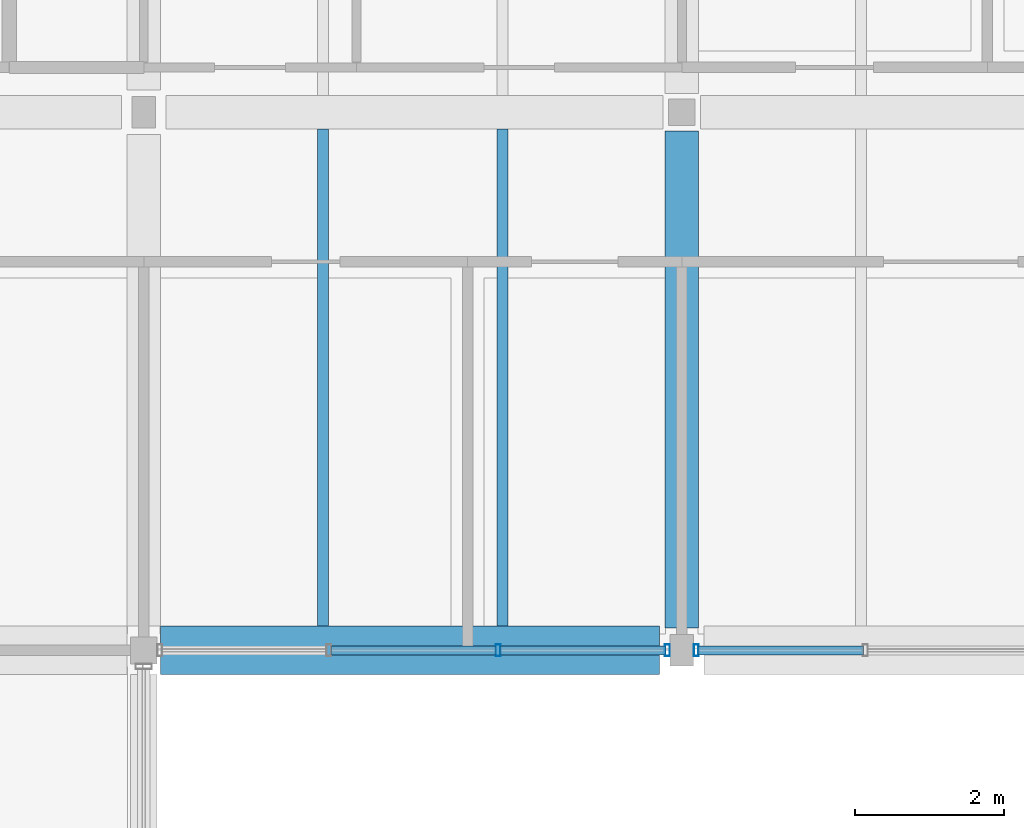
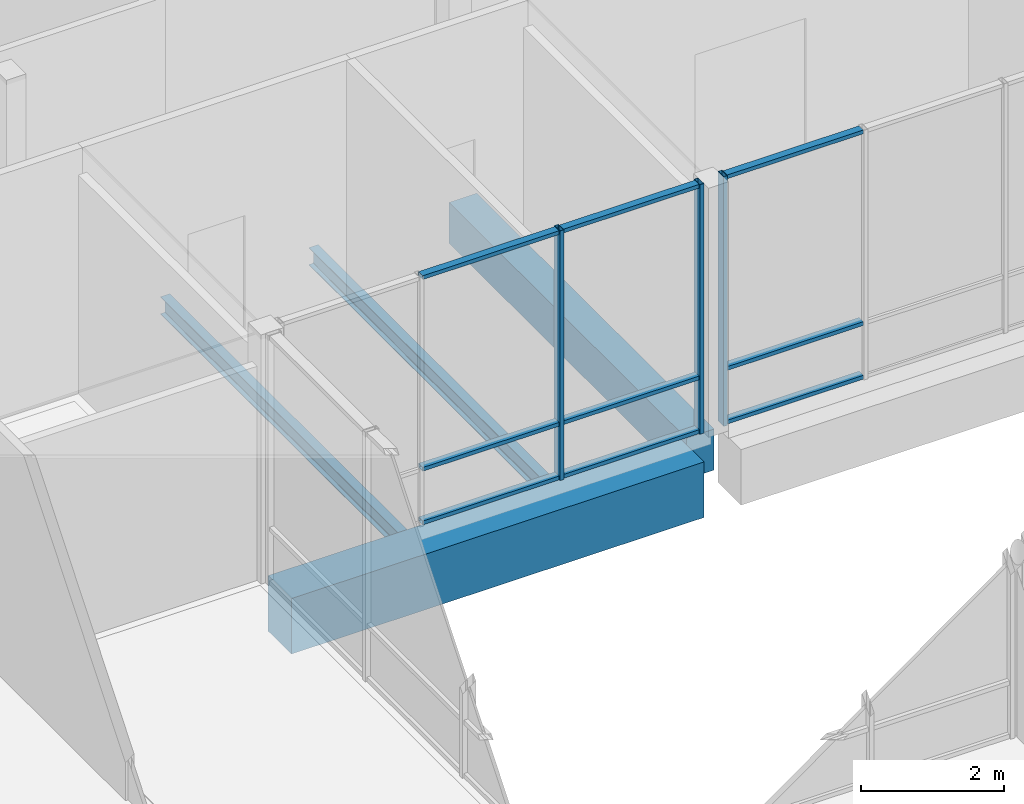
# One storey, part 42 of 146: 12 members, 4 beams, 2 elements without a shape of their own.
"""IFC4 building model written with IfcOpenShell, lengths in metres."""

from ifc_helpers import new_model, si_unit, direction, frame, origin, origin_2d, place, context, subcontext, project, spatial, rectangle, hollow_rectangle, i_section, extrude, material, material_profile, profile_set, type_object, element, aggregate, save


model = new_model("IFC4")

# Units and contexts
model_context = context("Model", 3, precision=1e-05, world=origin(), true_north=direction((0.0, 1.0)))
body_context = subcontext(model_context, "Body", "Model", "MODEL_VIEW")
ifc_project = project(units=[si_unit("LENGTHUNIT", "METRE"), si_unit("AREAUNIT", "SQUARE_METRE"), si_unit("VOLUMEUNIT", "CUBIC_METRE"), si_unit("PLANEANGLEUNIT", "RADIAN"), si_unit("MASSUNIT", "GRAM", prefix="KILO")], contexts=[model_context])

# Site, building, storey
site_placement = place(None, origin())
site = spatial("IfcSite", under=ifc_project, at=site_placement, CompositionType="ELEMENT")
building_placement = place(site_placement, origin())
building = spatial("IfcBuilding", under=site, at=building_placement, Name="Hawrajan Terrace Health Centre", CompositionType="ELEMENT")
storey_placement = place(building_placement, frame((0.0, 0.0, 4.5)))
storey = spatial("IfcBuildingStorey", under=building, at=storey_placement, Name="L01", CompositionType="ELEMENT", Elevation=4.5)

# Curtain wall, members
ifc_material_1 = material(Name="Anodized bronze aluminium and low-E solar glazing", Category="aluminium")
curtain_wall_type_1 = type_object("IfcCurtainWallType", Name="CW_Pavilion_SeriesE1", PredefinedType="USERDEFINED", material=ifc_material_1)
curtain_wall_1_placement = place(storey_placement, origin())
curtain_wall_1 = element("IfcCurtainWall", 1, at=curtain_wall_1_placement, inside=storey, type_object=curtain_wall_type_1, Name="Curtain wall CW-L01-060", ObjectType="UNITISED CURTAIN WALL", PredefinedType="USERDEFINED")
ifc_material_2 = material(Name="Anodized bronze aluminium 6063-T6", Category="aluminium")
ifc_material_profile_1 = material_profile(ifc_material_2, hollow_rectangle(XDim=0.06494140625, YDim=0.159912109375, WallThickness=0.00390625, at=origin_2d()), Name="CW MUL 65x160")
ifc_profile_set_1 = profile_set([ifc_material_profile_1], Name="Anodized bronze aluminium 6063-T6")
member_type_1 = type_object("IfcMemberType", Name="CWMullion_65x160", PredefinedType="MULLION", material=ifc_profile_set_1)
member_1_placement = place(storey_placement, frame((30.9423828125, 45.39990234375, -0.0048828125), z_axis=(0.0, 0.0, 1.0), x_axis=(1.0, 0.0, 0.0)))
member_1 = element("IfcMember", 2, at=member_1_placement, type_object=member_type_1, Name="Mullion CW-L01-060-M3", PredefinedType="MULLION", context=body_context, shape_type="SweptSolid", body=[
    extrude(hollow_rectangle(XDim=0.06494140625, YDim=0.159912109375, WallThickness=0.00390625, at=origin_2d()), origin(), (0.0, 0.0, 1.0), 4.269775390625),
])
member_2_placement = place(storey_placement, frame((33.20751953125, 45.39990234375, -0.0048828125), z_axis=(0.0, 0.0, 1.0), x_axis=(1.0, 0.0, 0.0)))
member_2 = element("IfcMember", 3, at=member_2_placement, type_object=member_type_1, Name="Mullion CW-L01-060-M4", PredefinedType="MULLION", context=body_context, shape_type="SweptSolid", body=[
    extrude(hollow_rectangle(XDim=0.06494140625, YDim=0.159912109375, WallThickness=0.00390625, at=origin_2d()), origin(), (0.0, 0.0, 1.0), 4.269775390625),
])

# Curtain wall, member
curtain_wall_type_2 = type_object("IfcCurtainWallType", Name="CW_Clerestory_SeriesG3", PredefinedType="USERDEFINED", material=ifc_material_1)
curtain_wall_2_placement = place(storey_placement, origin())
curtain_wall_2 = element("IfcCurtainWall", 4, at=curtain_wall_2_placement, inside=storey, type_object=curtain_wall_type_2, Name="Curtain wall CW-L01-066", ObjectType="UNITISED CURTAIN WALL", PredefinedType="USERDEFINED")
member_3_placement = place(storey_placement, frame((33.592529296875, 45.39990234375, -0.0048828125), z_axis=(0.0, 0.0, 1.0), x_axis=(1.0, 0.0, 0.0)))
member_3 = element("IfcMember", 5, at=member_3_placement, type_object=member_type_1, Name="Mullion CW-L01-066-M1", PredefinedType="MULLION", context=body_context, shape_type="SweptSolid", body=[
    extrude(hollow_rectangle(XDim=0.06494140625, YDim=0.159912109375, WallThickness=0.00390625, at=origin_2d()), origin(), (0.0, 0.0, 1.0), 4.269775390625),
])

# Member
ifc_material_profile_2 = material_profile(ifc_material_2, hollow_rectangle(XDim=0.06494140625, YDim=0.1201171875, WallThickness=0.00341796875, at=origin_2d()), Name="CW TRN 65x120")
ifc_profile_set_2 = profile_set([ifc_material_profile_2], Name="Anodized bronze aluminium 6063-T6")
member_type_2 = type_object("IfcMemberType", Name="CWTransom_65x120", PredefinedType="USERDEFINED", material=ifc_profile_set_2)
member_4_placement = place(storey_placement, frame((28.7041015625, 45.39990234375, 0.032470703125), z_axis=(1.0, 0.0, 0.0), x_axis=(0.0, 0.0, 1.0)))
member_4 = element("IfcMember", 6, at=member_4_placement, type_object=member_type_2, Name="Transom CW-L01-060-T2-1", ObjectType="TRANSOM", PredefinedType="USERDEFINED", context=body_context, shape_type="SweptSolid", body=[
    extrude(hollow_rectangle(XDim=0.06494140625, YDim=0.1201171875, WallThickness=0.00341796875, at=origin_2d()), origin(), (0.0, 0.0, 1.0), 2.2119140625),
])

member_5_placement = place(storey_placement, frame((28.7041015625, 45.39990234375, 0.949951171875), z_axis=(1.0, 0.0, 0.0), x_axis=(0.0, 0.0, 1.0)))
member_5 = element("IfcMember", 7, at=member_5_placement, type_object=member_type_2, Name="Transom CW-L01-060-T2-2", ObjectType="TRANSOM", PredefinedType="USERDEFINED", context=body_context, shape_type="SweptSolid", body=[
    extrude(hollow_rectangle(XDim=0.06494140625, YDim=0.1201171875, WallThickness=0.00341796875, at=origin_2d()), origin(), (0.0, 0.0, 1.0), 2.2119140625),
])

member_6_placement = place(storey_placement, frame((28.7041015625, 45.39990234375, 4.2275390625), z_axis=(1.0, 0.0, 0.0), x_axis=(0.0, 0.0, 1.0)))
member_6 = element("IfcMember", 8, at=member_6_placement, type_object=member_type_2, Name="Transom CW-L01-060-T2-3", ObjectType="TRANSOM", PredefinedType="USERDEFINED", context=body_context, shape_type="SweptSolid", body=[
    extrude(hollow_rectangle(XDim=0.06494140625, YDim=0.1201171875, WallThickness=0.00341796875, at=origin_2d()), origin(), (0.0, 0.0, 1.0), 2.2119140625),
])

member_7_placement = place(storey_placement, frame((30.968994140625, 45.39990234375, 0.032470703125), z_axis=(1.0, 0.0, 0.0), x_axis=(0.0, 0.0, 1.0)))
member_7 = element("IfcMember", 9, at=member_7_placement, type_object=member_type_2, Name="Transom CW-L01-060-T3-1", ObjectType="TRANSOM", PredefinedType="USERDEFINED", context=body_context, shape_type="SweptSolid", body=[
    extrude(hollow_rectangle(XDim=0.06494140625, YDim=0.1201171875, WallThickness=0.00341796875, at=origin_2d()), origin(), (0.0, 0.0, 1.0), 2.2119140625),
])

member_8_placement = place(storey_placement, frame((30.968994140625, 45.39990234375, 0.949951171875), z_axis=(1.0, 0.0, 0.0), x_axis=(0.0, 0.0, 1.0)))
member_8 = element("IfcMember", 10, at=member_8_placement, type_object=member_type_2, Name="Transom CW-L01-060-T3-2", ObjectType="TRANSOM", PredefinedType="USERDEFINED", context=body_context, shape_type="SweptSolid", body=[
    extrude(hollow_rectangle(XDim=0.06494140625, YDim=0.1201171875, WallThickness=0.00341796875, at=origin_2d()), origin(), (0.0, 0.0, 1.0), 2.2119140625),
])

member_9_placement = place(storey_placement, frame((30.968994140625, 45.39990234375, 4.2275390625), z_axis=(1.0, 0.0, 0.0), x_axis=(0.0, 0.0, 1.0)))
member_9 = element("IfcMember", 11, at=member_9_placement, type_object=member_type_2, Name="Transom CW-L01-060-T3-3", ObjectType="TRANSOM", PredefinedType="USERDEFINED", context=body_context, shape_type="SweptSolid", body=[
    extrude(hollow_rectangle(XDim=0.06494140625, YDim=0.1201171875, WallThickness=0.00341796875, at=origin_2d()), origin(), (0.0, 0.0, 1.0), 2.2119140625),
])

aggregate(curtain_wall_1, [member_1, member_2, member_4, member_5, member_6, member_7, member_8, member_9])

member_10_placement = place(storey_placement, frame((33.618896484375, 45.39990234375, 0.032470703125), z_axis=(1.0, 0.0, 0.0), x_axis=(0.0, 0.0, 1.0)))
member_10 = element("IfcMember", 12, at=member_10_placement, type_object=member_type_2, Name="Transom CW-L01-066-T1-1", ObjectType="TRANSOM", PredefinedType="USERDEFINED", context=body_context, shape_type="SweptSolid", body=[
    extrude(hollow_rectangle(XDim=0.06494140625, YDim=0.1201171875, WallThickness=0.00341796875, at=origin_2d()), origin(), (0.0, 0.0, 1.0), 2.212158203125),
])

member_11_placement = place(storey_placement, frame((33.618896484375, 45.39990234375, 0.949951171875), z_axis=(1.0, 0.0, 0.0), x_axis=(0.0, 0.0, 1.0)))
member_11 = element("IfcMember", 13, at=member_11_placement, type_object=member_type_2, Name="Transom CW-L01-066-T1-2", ObjectType="TRANSOM", PredefinedType="USERDEFINED", context=body_context, shape_type="SweptSolid", body=[
    extrude(hollow_rectangle(XDim=0.06494140625, YDim=0.1201171875, WallThickness=0.00341796875, at=origin_2d()), origin(), (0.0, 0.0, 1.0), 2.212158203125),
])

member_12_placement = place(storey_placement, frame((33.618896484375, 45.39990234375, 4.2275390625), z_axis=(1.0, 0.0, 0.0), x_axis=(0.0, 0.0, 1.0)))
member_12 = element("IfcMember", 14, at=member_12_placement, type_object=member_type_2, Name="Transom CW-L01-066-T1-3", ObjectType="TRANSOM", PredefinedType="USERDEFINED", context=body_context, shape_type="SweptSolid", body=[
    extrude(hollow_rectangle(XDim=0.06494140625, YDim=0.1201171875, WallThickness=0.00341796875, at=origin_2d()), origin(), (0.0, 0.0, 1.0), 2.212158203125),
])

aggregate(curtain_wall_2, [member_3, member_10, member_11, member_12])

# Beams
ifc_material_3 = material(Name="Concrete C40/50", Category="concrete")
ifc_material_profile_3 = material_profile(ifc_material_3, rectangle(XDim=0.449951171875, YDim=0.699951171875, at=origin_2d()), Name="RC BM 450x700")
ifc_profile_set_3 = profile_set([ifc_material_profile_3], Name="Concrete C40/50")
beam_type_1 = type_object("IfcBeamType", Name="RCGirder_450x700", PredefinedType="BEAM", material=ifc_profile_set_3)
beam_1_placement = place(storey_placement, frame((33.39990234375, 45.699951171875, -0.64990234375), z_axis=(0.0, 1.0, 0.0), x_axis=(-1.0, 0.0, 0.0)))
element("IfcBeam", 15, at=beam_1_placement, inside=storey, type_object=beam_type_1, Name="Beam BM-Y-L01-W-X05-6", PredefinedType="BEAM", context=body_context, shape_type="SweptSolid", body=[
    extrude(rectangle(XDim=0.449951171875, YDim=0.699951171875, at=origin_2d()), origin(), (0.0, 0.0, 1.0), 6.650146484375),
])
ifc_material_profile_4 = material_profile(ifc_material_3, rectangle(XDim=0.64990234375, YDim=0.949951171875, at=origin_2d()), Name="RC TG 650x950")
ifc_profile_set_4 = profile_set([ifc_material_profile_4], Name="Concrete C40/50")
beam_type_2 = type_object("IfcBeamType", Name="RCTransferGirder_650x950", PredefinedType="BEAM", material=ifc_profile_set_4)
beam_2_placement = place(storey_placement, frame((26.425048828125, 45.39990234375, -0.77490234375), z_axis=(1.0, 0.0, 0.0), x_axis=(0.0, 1.0, 0.0)))
element("IfcBeam", 16, at=beam_2_placement, inside=storey, type_object=beam_type_2, Name="Beam BM-X-L01-W-04-Y6", PredefinedType="BEAM", context=body_context, shape_type="SweptSolid", body=[
    extrude(rectangle(XDim=0.64990234375, YDim=0.949951171875, at=origin_2d()), origin(), (0.0, 0.0, 1.0), 6.675048828125),
])
ifc_material_4 = material(Name="Steel S355", Category="steel")
ifc_material_profile_5 = material_profile(ifc_material_4, i_section(OverallWidth=0.14990234375, OverallDepth=0.300048828125, WebThickness=0.007080078125, FlangeThickness=0.0107421875, FilletRadius=0.014892578125, at=origin_2d()), Name="IPE 300")
ifc_profile_set_5 = profile_set([ifc_material_profile_5], Name="Steel S355")
beam_type_3 = type_object("IfcBeamType", Name="SteelBeam_IPE300", PredefinedType="JOIST", material=ifc_profile_set_5)
for number, where, z_axis, x_axis, name in (
    (17, (28.60009765625, 45.72509765625, -0.449951171875), (0.0, 1.0, 0.0), (-1.0, 0.0, 0.0), "Secondary joist JST-L01-W-04-6-1"),
    (18, (31.0, 45.72509765625, -0.449951171875), (0.0, 1.0, 0.0), (-1.0, 0.0, 0.0), "Secondary joist JST-L01-W-04-6-2"),
):
    element("IfcBeam", number, at=place(storey_placement, frame(where, z_axis=z_axis, x_axis=x_axis)), inside=storey, type_object=beam_type_3, Name=name, PredefinedType="JOIST", context=body_context, shape_type="SweptSolid", body=[
        extrude(i_section(OverallWidth=0.14990234375, OverallDepth=0.300048828125, WebThickness=0.007080078125, FlangeThickness=0.0107421875, FilletRadius=0.014892578125, at=origin_2d()), origin(), (0.0, 0.0, 1.0), 6.64990234375),
    ])

save(model, "model.ifc")
